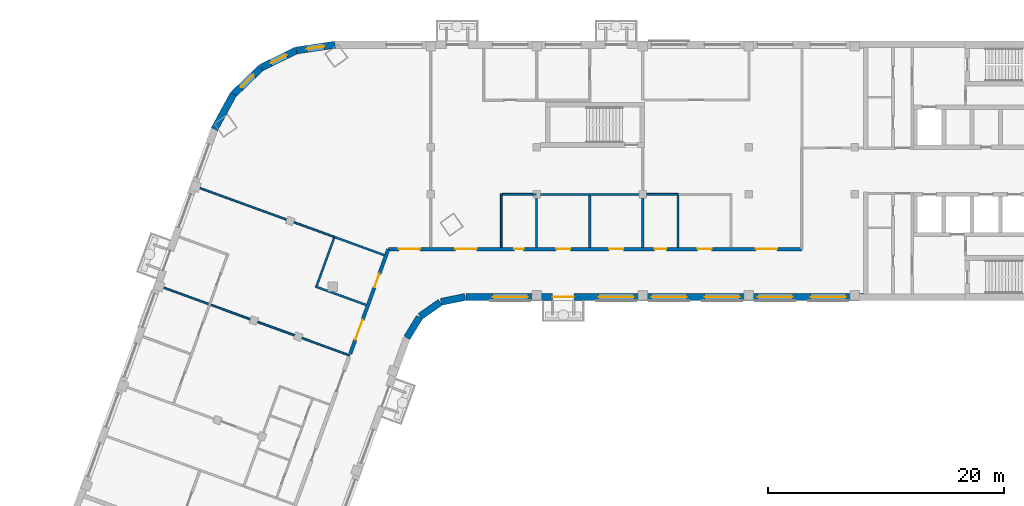
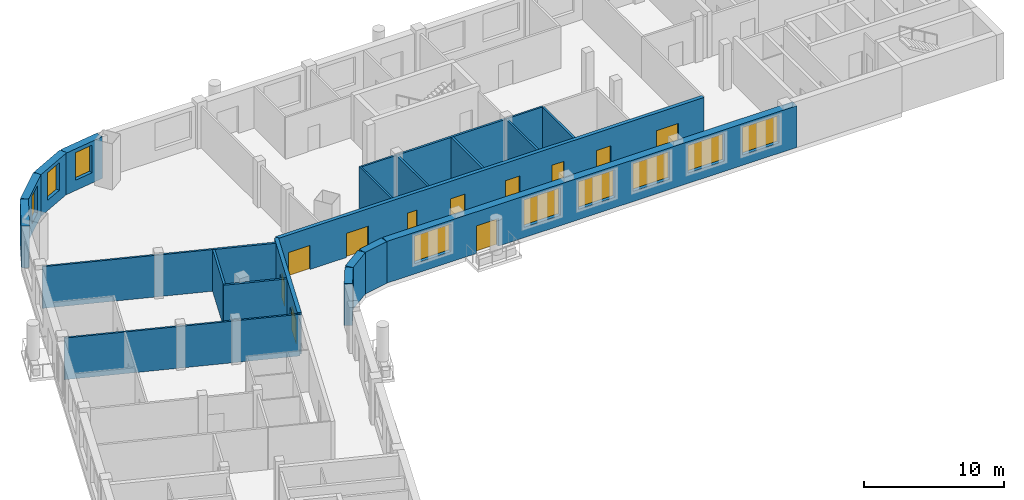
# One storey, part 4 of 10: 23 walls, 11 doors, 9 windows, 20 openings.
"""IFC4 building model written with IfcOpenShell, lengths in metres."""

import ifcopenshell
import ifcopenshell.guid

model = None  # the IFC model being written
_history = None  # IfcOwnerHistory: only IFC2X3 demands one
_inside = {}  # id of a spatial element -> (the spatial element, [elements in it])
_under = {}  # id of a project, library or spatial element -> (it, [spatial elements below it])
_declared = {}  # id of a project -> (the project, [libraries it declares])
_typed = {}  # id of a type object -> (the type object, [elements of that type])
_made_of = {}  # id of a material, layer set ... -> (it, [elements and type objects made of it])


def new_model(schema):
    """Start an empty IFC model of exactly this schema.

    Asked for "IFC4X3", IfcOpenShell would pick the latest addendum, in which some entities
    have other attributes; the version numbers below select the first issue.
    IFC2X3 requires an IfcOwnerHistory on every rooted entity: one is made here for all.
    """
    global model, _history
    if schema == "IFC4X3":
        model = ifcopenshell.file(schema_version=(4, 3, 0, 0))
    else:
        model = ifcopenshell.file(schema=schema)
    _inside.clear()
    _under.clear()
    _declared.clear()
    _typed.clear()
    _made_of.clear()
    _history = None
    if model.schema == "IFC2X3":
        org = make("IfcOrganization", Name="unknown")
        user = make(
            "IfcPersonAndOrganization",
            ThePerson=make("IfcPerson", FamilyName="unknown"),
            TheOrganization=org,
        )
        app = make(
            "IfcApplication",
            ApplicationDeveloper=org,
            Version="unknown",
            ApplicationFullName="unknown",
            ApplicationIdentifier="unknown",
        )
        _history = make(
            "IfcOwnerHistory",
            OwningUser=user,
            OwningApplication=app,
            ChangeAction="ADDED",
            CreationDate=0,
        )
    return model


def make(cls, **values):
    """One entity of the class cls with the attributes given. An attribute that is None is left unset."""
    return model.create_entity(
        cls, **{name: value for name, value in values.items() if value is not None}
    )


def rooted(cls, **values):
    """An entity with a GlobalId (a new one), such as an element, a storey or a relation."""
    return make(cls, GlobalId=ifcopenshell.guid.new(), OwnerHistory=_history, **values)


def si_unit(unit_type, name, prefix=None):
    """IfcSIUnit, for example si_unit("LENGTHUNIT", "METRE", prefix="MILLI")."""
    return make("IfcSIUnit", UnitType=unit_type, Prefix=prefix, Name=name)


def assignment(units):
    """IfcUnitAssignment: the units of a project."""
    return None if units is None else make("IfcUnitAssignment", Units=units)


def point(xyz):
    """IfcCartesianPoint."""
    return None if xyz is None else make("IfcCartesianPoint", Coordinates=xyz)


def direction(xyz):
    """IfcDirection."""
    return None if xyz is None else make("IfcDirection", DirectionRatios=xyz)


def frame(location, z_axis=None, x_axis=None):
    """IfcAxis2Placement3D, a coordinate frame: its origin and axes. An axis left out is left unset."""
    return make(
        "IfcAxis2Placement3D",
        Location=point(location),
        Axis=direction(z_axis),
        RefDirection=direction(x_axis),
    )


def frame_2d(location, x_axis=None):
    """IfcAxis2Placement2D, a coordinate frame in the plane: its origin and x axis."""
    return make(
        "IfcAxis2Placement2D", Location=point(location), RefDirection=direction(x_axis)
    )


def origin():
    """The frame at (0, 0, 0) with its axes left unset."""
    return frame((0.0, 0.0, 0.0))


def place(relative_to, where):
    """IfcLocalPlacement: puts the frame where relative to a parent placement (None: the world)."""
    return make(
        "IfcLocalPlacement", PlacementRelTo=relative_to, RelativePlacement=where
    )


def context(
    kind, dimensions, precision=None, world=None, true_north=None, identifier=None
):
    """IfcGeometricRepresentationContext, for example the 3D "Model" context."""
    return make(
        "IfcGeometricRepresentationContext",
        ContextIdentifier=identifier,
        ContextType=kind,
        CoordinateSpaceDimension=dimensions,
        Precision=precision,
        WorldCoordinateSystem=world,
        TrueNorth=true_north,
    )


def subcontext(parent, identifier, kind, view, scale=None):
    """IfcGeometricRepresentationSubContext, for example "Body" below "Model"."""
    return make(
        "IfcGeometricRepresentationSubContext",
        ContextIdentifier=identifier,
        ContextType=kind,
        ParentContext=parent,
        TargetScale=scale,
        TargetView=view,
    )


def project(units=None, contexts=None):
    """IfcProject with its units and contexts."""
    return rooted(
        "IfcProject",
        Name="project",
        RepresentationContexts=contexts,
        UnitsInContext=assignment(units),
    )


def spatial(cls, under=None, at=None, **own):
    """A site, building, storey or space (cls), placed at a placement, below another one or the project."""
    s = rooted(cls, ObjectPlacement=at, **own)
    if under is not None:
        _under.setdefault(under.id(), (under, []))[1].append(s)
    return s


def profile(cls, at=None, kind="AREA", **sizes):
    """A parametric profile (cls). Its sizes go by their IFC names, for example OverallWidth=200.0."""
    return make(cls, ProfileType=kind, Position=at, **sizes)


def rectangle(**sizes):
    """IfcRectangleProfileDef."""
    return profile("IfcRectangleProfileDef", **sizes)


def extrude(swept, where, along, depth):
    """IfcExtrudedAreaSolid: the profile swept, set in the frame where, extruded along a direction by depth."""
    return make(
        "IfcExtrudedAreaSolid",
        SweptArea=swept,
        Position=where,
        ExtrudedDirection=direction(along),
        Depth=depth,
    )


def shape(context_of_items, identifier, shape_type, items):
    """IfcShapeRepresentation: the items that make up one representation, for example the "Body"."""
    return make(
        "IfcShapeRepresentation",
        ContextOfItems=context_of_items,
        RepresentationIdentifier=identifier,
        RepresentationType=shape_type,
        Items=items,
    )


def material(Name=None, Category=None):
    """IfcMaterial."""
    return make("IfcMaterial", Name=Name, Category=Category)


def layer(
    of_material, thickness, ventilated=None, Name=None, Category=None, Priority=None
):
    """IfcMaterialLayer: one layer of a wall or slab, of a material (None: an air gap)."""
    return make(
        "IfcMaterialLayer",
        Material=of_material,
        LayerThickness=thickness,
        IsVentilated=ventilated,
        Name=Name,
        Category=Category,
        Priority=Priority,
    )


def layer_set(layers, Name=None):
    """IfcMaterialLayerSet."""
    return make("IfcMaterialLayerSet", MaterialLayers=layers, LayerSetName=Name)


def made_of(thing, what):
    """Note that an element or type object is made of a material, layer set ...; save() writes the relation."""
    if what is not None:
        _made_of.setdefault(what.id(), (what, []))[1].append(thing)
    return thing


def type_object(cls, material=None, **own):
    """A type object (cls), such as IfcWallType, which elements share."""
    return made_of(rooted(cls, **own), material)


def element(
    cls,
    number,
    at=None,
    inside=None,
    cuts=None,
    type_object=None,
    material=None,
    context=None,
    identifier="Body",
    shape_type=None,
    held_by="IfcProductDefinitionShape",
    body=None,
    shapes=None,
    **own,
):
    """One element of the class cls, such as IfcWall. Its Tag is "e" and its number.

    at: its placement. inside: the storey or other place that contains it. cuts: it is an
    opening in that element (IfcRelVoidsElement). A single representation is given by context,
    identifier, shape_type and body (its items); several are given by shapes. held_by: the class
    of the entity that holds the representations. save() writes the other relations.
    """
    e = rooted(cls, Tag="e%d" % number, ObjectPlacement=at, **own)
    if body is not None:
        shapes = [shape(context, identifier, shape_type, body)]
    if shapes is not None:
        e.Representation = make(held_by, Representations=shapes)
    if inside is not None:
        _inside.setdefault(inside.id(), (inside, []))[1].append(e)
    if cuts is not None:
        rooted(
            "IfcRelVoidsElement", RelatingBuildingElement=cuts, RelatedOpeningElement=e
        )
    if type_object is not None:
        _typed.setdefault(type_object.id(), (type_object, []))[1].append(e)
    return made_of(e, material)


def fill(opening, filler):
    """IfcRelFillsElement: the door or window that sits in an opening."""
    return rooted(
        "IfcRelFillsElement",
        RelatingOpeningElement=opening,
        RelatedBuildingElement=filler,
    )


def aggregate(whole, parts):
    """IfcRelAggregates: a whole, such as a stair, and the parts it consists of."""
    return rooted("IfcRelAggregates", RelatingObject=whole, RelatedObjects=parts)


def save(model, path):
    """Write the relations noted so far, then the file.

    IfcRelAggregates (storeys below a building ...), IfcRelContainedInSpatialStructure (elements
    in a storey), IfcRelDefinesByType, IfcRelAssociatesMaterial and IfcRelDeclares: one each for
    every whole, place, type object, material and project.
    """
    for whole, parts in _under.values():
        aggregate(whole, parts)
    for where, things in _inside.values():
        rooted(
            "IfcRelContainedInSpatialStructure",
            RelatedElements=things,
            RelatingStructure=where,
        )
    for kind, things in _typed.values():
        rooted("IfcRelDefinesByType", RelatedObjects=things, RelatingType=kind)
    for what, things in _made_of.values():
        rooted("IfcRelAssociatesMaterial", RelatedObjects=things, RelatingMaterial=what)
    for by, libraries in _declared.values():
        rooted("IfcRelDeclares", RelatingContext=by, RelatedDefinitions=libraries)
    model.write(path)


model = new_model("IFC4")

# Units and contexts
model_context = context("Model", 3, precision=1e-05, world=origin(), true_north=direction((0.0, 1.0)))
body_context = subcontext(model_context, "Body", "Model", "MODEL_VIEW")
ifc_project = project(units=[si_unit("LENGTHUNIT", "METRE"), si_unit("AREAUNIT", "SQUARE_METRE"), si_unit("VOLUMEUNIT", "CUBIC_METRE"), si_unit("PLANEANGLEUNIT", "RADIAN"), si_unit("MASSUNIT", "GRAM", prefix="KILO")], contexts=[model_context])

# Site, building, storey
site_placement = place(None, origin())
site = spatial("IfcSite", under=ifc_project, at=site_placement, CompositionType="ELEMENT")
building_placement = place(site_placement, origin())
building = spatial("IfcBuilding", under=site, at=building_placement, Name="Skarvind Civic Tower", CompositionType="ELEMENT")
storey_placement = place(building_placement, frame((0.0, 0.0, 154.5)))
storey = spatial("IfcBuildingStorey", under=building, at=storey_placement, Name="L36", CompositionType="ELEMENT", Elevation=154.5)

# Walls
ifc_material_1 = material(Name="Acoustic gypsum board on steel studs", Category="steel")
ifc_layer_1 = layer(ifc_material_1, 0.175048828125)
ifc_layer_set_1 = layer_set([ifc_layer_1], Name="ACOUSTIC MEETING-ROOM PARTITION 175")
wall_type_1 = type_object("IfcWallType", Name="ACOUSTIC MEETING-ROOM PARTITION 175", PredefinedType="PARTITIONING", material=ifc_layer_set_1)
wall_1_placement = place(storey_placement, frame((44.462890625, 118.18408203125, 0.0), z_axis=(0.0, 0.0, 1.0), x_axis=(0.939667480086, -0.342089208934, 0.0)))
element("IfcWall", 1, at=wall_1_placement, inside=storey, type_object=wall_type_1, Name="Partition 36.021", PredefinedType="PARTITIONING", context=body_context, shape_type="SweptSolid", body=[
    extrude(rectangle(XDim=4.586669921875, YDim=0.175048828125, at=frame_2d((2.29345703125, 0.0))), origin(), (0.0, 0.0, 1.0), 3.625),
])
wall_2_placement = place(storey_placement, frame((46.053955078125, 122.301025390625, 0.0), z_axis=(0.0, 0.0, 1.0), x_axis=(-0.341915262023, -0.93973078783, 0.0)))
element("IfcWall", 2, at=wall_2_placement, inside=storey, type_object=wall_type_1, Name="Partition 36.023", PredefinedType="PARTITIONING", context=body_context, shape_type="SweptSolid", body=[
    extrude(rectangle(XDim=4.32568359375, YDim=0.175048828125, at=frame_2d((2.162841796875, 0.0))), origin(), (0.0, 0.0, 1.0), 3.625),
])
wall_3_placement = place(storey_placement, frame((50.31201171875, 120.843017578125, 0.0), z_axis=(0.0, 0.0, 1.0), x_axis=(-0.939609529273, 0.342248349154, 0.0)))
element("IfcWall", 3, at=wall_3_placement, inside=storey, type_object=wall_type_1, Name="Partition 36.025", PredefinedType="PARTITIONING", context=body_context, shape_type="SweptSolid", body=[
    extrude(rectangle(XDim=4.499755859375, YDim=0.175048828125, at=frame_2d((2.25, 0.0))), origin(), (0.0, 0.0, 1.0), 3.625),
])
wall_4_placement = place(storey_placement, frame((63.25, 121.5, 0.0), z_axis=(0.0, 0.0, 1.0), x_axis=(0.0, 1.0, 0.0)))
element("IfcWall", 4, at=wall_4_placement, inside=storey, type_object=wall_type_1, Name="Partition 36.031", PredefinedType="PARTITIONING", context=body_context, shape_type="SweptSolid", body=[
    extrude(rectangle(XDim=4.412109375, YDim=0.175048828125, at=frame_2d((2.2060546875, 0.0))), origin(), (0.0, 0.0, 1.0), 3.625),
])
wall_5_placement = place(storey_placement, frame((63.25, 126.0, 0.0), z_axis=(0.0, 0.0, 1.0), x_axis=(1.0, 0.0, 0.0)))
element("IfcWall", 5, at=wall_5_placement, inside=storey, type_object=wall_type_1, Name="Partition 36.033", PredefinedType="PARTITIONING", context=body_context, shape_type="SweptSolid", body=[
    extrude(rectangle(XDim=9.0, YDim=0.175048828125, at=frame_2d((4.5, 0.0))), origin(), (0.0, 0.0, 1.0), 3.625),
])
wall_6_placement = place(storey_placement, frame((67.75, 121.5, 0.0), z_axis=(0.0, 0.0, 1.0), x_axis=(0.0, 1.0, 0.0)))
element("IfcWall", 6, at=wall_6_placement, inside=storey, type_object=wall_type_1, Name="Partition 36.035", PredefinedType="PARTITIONING", context=body_context, shape_type="SweptSolid", body=[
    extrude(rectangle(XDim=4.412109375, YDim=0.175048828125, at=frame_2d((2.2060546875, 0.0))), origin(), (0.0, 0.0, 1.0), 3.625),
])
wall_7_placement = place(storey_placement, frame((72.25, 121.5, 0.0), z_axis=(0.0, 0.0, 1.0), x_axis=(0.0, 1.0, 0.0)))
element("IfcWall", 7, at=wall_7_placement, inside=storey, type_object=wall_type_1, Name="Partition 36.037", PredefinedType="PARTITIONING", context=body_context, shape_type="SweptSolid", body=[
    extrude(rectangle(XDim=4.5, YDim=0.175048828125, at=frame_2d((2.25, 0.0))), origin(), (0.0, 0.0, 1.0), 3.625),
])
wall_8_placement = place(storey_placement, frame((75.25, 125.912109375, 0.0), z_axis=(0.0, 0.0, 1.0), x_axis=(0.0, -1.0, 0.0)))
element("IfcWall", 8, at=wall_8_placement, inside=storey, type_object=wall_type_1, Name="Partition 36.042", PredefinedType="PARTITIONING", context=body_context, shape_type="SweptSolid", body=[
    extrude(rectangle(XDim=4.412109375, YDim=0.175048828125, at=frame_2d((2.2060546875, 0.0))), origin(), (0.0, 0.0, 1.0), 3.625),
])

# Wall, openings, doors
ifc_material_2 = material(Name="Fire-rated gypsum board on steel studs", Category="steel")
ifc_layer_2 = layer(ifc_material_2, 0.300048828125)
ifc_layer_set_2 = layer_set([ifc_layer_2], Name="CORRIDOR WALL 300")
wall_type_2 = type_object("IfcWallType", Name="CORRIDOR WALL 300", PredefinedType="PARTITIONING", material=ifc_layer_set_2)
wall_9_placement = place(storey_placement, frame((47.425048828125, 112.472900390625, 0.0), z_axis=(0.0, 0.0, 1.0), x_axis=(0.342087569587, 0.939668076894, 0.0)))
wall_9 = element("IfcWall", 9, at=wall_9_placement, inside=storey, type_object=wall_type_2, Name="Partition 36.024", PredefinedType="PARTITIONING", context=body_context, shape_type="SweptSolid", body=[
    extrude(rectangle(XDim=9.44482421875, YDim=0.300048828125, at=frame_2d((4.722412109375, 0.0))), origin(), (0.0, 0.0, 1.0), 3.625),
])
opening_1_placement = place(wall_9_placement, frame((6.003173828125, 0.0, 0.0)))
opening_1 = element("IfcOpeningElement", 10, at=opening_1_placement, cuts=wall_9, Name="Opening L36-D020", PredefinedType="OPENING", context=body_context, shape_type="SweptSolid", body=[
    extrude(rectangle(XDim=1.199951171875, YDim=2.10009765625, at=frame_2d((0.60009765625, 1.050048828125))), frame((0.0, 0.159912109375, 0.0), z_axis=(0.0, -1.0, 0.0), x_axis=(1.0, 0.0, 0.0)), (0.0, 0.0, 1.0), 0.320068359375),
])
opening_2_placement = place(wall_9_placement, frame((1.2666015625, 0.0, 0.0)))
opening_2 = element("IfcOpeningElement", 11, at=opening_2_placement, cuts=wall_9, Name="Opening L36-D022", PredefinedType="OPENING", context=body_context, shape_type="SweptSolid", body=[
    extrude(rectangle(XDim=1.800048828125, YDim=2.10009765625, at=frame_2d((0.89990234375, 1.050048828125))), frame((0.0, 0.159912109375, 0.0), z_axis=(0.0, -1.0, 0.0), x_axis=(1.0, 0.0, 0.0)), (0.0, 0.0, 1.0), 0.320068359375),
])
ifc_material_3 = material(Name="Fire-rated timber door leaf", Category="wood")
door_type_1 = type_object("IfcDoorType", Name="FD4 1800x2100", OperationType="NOTDEFINED", PredefinedType="DOOR", material=ifc_material_3)
door_1_placement = place(opening_2_placement, origin())
door_1 = element("IfcDoor", 12, at=door_1_placement, inside=storey, type_object=door_type_1, Name="Door L36-D022", OperationType="DOUBLE_DOOR_SINGLE_SWING", OverallHeight=2.10009765625, OverallWidth=1.800048828125, PredefinedType="DOOR", context=body_context, shape_type="SweptSolid", body=[
    extrude(rectangle(XDim=1.800048828125, YDim=2.10009765625, at=frame_2d((0.89990234375, 1.050048828125))), frame((0.0, 0.02490234375, 0.0), z_axis=(0.0, -1.0, 0.0), x_axis=(1.0, 0.0, 0.0)), (0.0, 0.0, 1.0), 0.050048828125),
])
fill(opening_2, door_1)
door_type_2 = type_object("IfcDoorType", Name="FD6 1200x2100 DOUBLE", OperationType="NOTDEFINED", PredefinedType="DOOR", material=ifc_material_3)
door_2_placement = place(opening_1_placement, origin())
door_2 = element("IfcDoor", 13, at=door_2_placement, inside=storey, type_object=door_type_2, Name="Door L36-D020", OperationType="DOUBLE_DOOR_SINGLE_SWING", OverallHeight=2.10009765625, OverallWidth=1.199951171875, PredefinedType="DOOR", context=body_context, shape_type="SweptSolid", body=[
    extrude(rectangle(XDim=1.199951171875, YDim=2.10009765625, at=frame_2d((0.60009765625, 1.050048828125))), frame((0.0, 0.02490234375, 0.0), z_axis=(0.0, -1.0, 0.0), x_axis=(1.0, 0.0, 0.0)), (0.0, 0.0, 1.0), 0.050048828125),
])
fill(opening_1, door_2)

wall_10_placement = place(storey_placement, frame((50.656982421875, 121.35009765625, 0.0), z_axis=(0.0, 0.0, 1.0), x_axis=(1.0, 0.0, 0.0)))
wall_10 = element("IfcWall", 14, at=wall_10_placement, inside=storey, type_object=wall_type_2, Name="Partition 36.026", PredefinedType="PARTITIONING", context=body_context, shape_type="SweptSolid", body=[
    extrude(rectangle(XDim=35.095947265625, YDim=0.300048828125, at=frame_2d((17.5478515625, 0.0))), origin(), (0.0, 0.0, 1.0), 3.625),
])
opening_3_placement = place(wall_10_placement, frame((26.242919921875, 0.0, 0.0)))
opening_3 = element("IfcOpeningElement", 15, at=opening_3_placement, cuts=wall_10, Name="Opening L36-D002", PredefinedType="OPENING", context=body_context, shape_type="SweptSolid", body=[
    extrude(rectangle(XDim=1.199951171875, YDim=2.10009765625, at=frame_2d((0.60009765625, 1.050048828125))), frame((0.0, 0.159912109375, 0.0), z_axis=(0.0, -1.0, 0.0), x_axis=(1.0, 0.0, 0.0)), (0.0, 0.0, 1.0), 0.320068359375),
])
opening_4_placement = place(wall_10_placement, frame((22.593017578125, 0.0, 0.0)))
opening_4 = element("IfcOpeningElement", 16, at=opening_4_placement, cuts=wall_10, Name="Opening L36-D003", PredefinedType="OPENING", context=body_context, shape_type="SweptSolid", body=[
    extrude(rectangle(XDim=1.0, YDim=2.10009765625, at=frame_2d((0.5, 1.050048828125))), frame((0.0, 0.159912109375, 0.0), z_axis=(0.0, -1.0, 0.0), x_axis=(1.0, 0.0, 0.0)), (0.0, 0.0, 1.0), 0.320068359375),
])
opening_5_placement = place(wall_10_placement, frame((31.193115234375, 0.0, 0.0)))
opening_5 = element("IfcOpeningElement", 17, at=opening_5_placement, cuts=wall_10, Name="Opening L36-D005", PredefinedType="OPENING", context=body_context, shape_type="SweptSolid", body=[
    extrude(rectangle(XDim=1.800048828125, YDim=2.10009765625, at=frame_2d((0.89990234375, 1.050048828125))), frame((0.0, 0.159912109375, 0.0), z_axis=(0.0, -1.0, 0.0), x_axis=(1.0, 0.0, 0.0)), (0.0, 0.0, 1.0), 0.320068359375),
])
opening_6_placement = place(wall_10_placement, frame((18.742919921875, 0.0, 0.0)))
opening_6 = element("IfcOpeningElement", 18, at=opening_6_placement, cuts=wall_10, Name="Opening L36-D006", PredefinedType="OPENING", context=body_context, shape_type="SweptSolid", body=[
    extrude(rectangle(XDim=1.199951171875, YDim=2.10009765625, at=frame_2d((0.60009765625, 1.050048828125))), frame((0.0, 0.159912109375, 0.0), z_axis=(0.0, -1.0, 0.0), x_axis=(1.0, 0.0, 0.0)), (0.0, 0.0, 1.0), 0.320068359375),
])
opening_7_placement = place(wall_10_placement, frame((14.242919921875, 0.0, 0.0)))
opening_7 = element("IfcOpeningElement", 19, at=opening_7_placement, cuts=wall_10, Name="Opening L36-D007", PredefinedType="OPENING", context=body_context, shape_type="SweptSolid", body=[
    extrude(rectangle(XDim=1.199951171875, YDim=2.10009765625, at=frame_2d((0.60009765625, 1.050048828125))), frame((0.0, 0.159912109375, 0.0), z_axis=(0.0, -1.0, 0.0), x_axis=(1.0, 0.0, 0.0)), (0.0, 0.0, 1.0), 0.320068359375),
])
opening_8_placement = place(wall_10_placement, frame((10.693115234375, 0.0, 0.0)))
opening_8 = element("IfcOpeningElement", 20, at=opening_8_placement, cuts=wall_10, Name="Opening L36-D008", PredefinedType="OPENING", context=body_context, shape_type="SweptSolid", body=[
    extrude(rectangle(XDim=0.800048828125, YDim=2.10009765625, at=frame_2d((0.39990234375, 1.050048828125))), frame((0.0, 0.159912109375, 0.0), z_axis=(0.0, -1.0, 0.0), x_axis=(1.0, 0.0, 0.0)), (0.0, 0.0, 1.0), 0.320068359375),
])
opening_9_placement = place(wall_10_placement, frame((5.693115234375, 0.0, 0.0)))
opening_9 = element("IfcOpeningElement", 21, at=opening_9_placement, cuts=wall_10, Name="Opening L36-D011", PredefinedType="OPENING", context=body_context, shape_type="SweptSolid", body=[
    extrude(rectangle(XDim=1.800048828125, YDim=2.10009765625, at=frame_2d((0.89990234375, 1.050048828125))), frame((0.0, 0.159912109375, 0.0), z_axis=(0.0, -1.0, 0.0), x_axis=(1.0, 0.0, 0.0)), (0.0, 0.0, 1.0), 0.320068359375),
])
opening_10_placement = place(wall_10_placement, frame((0.89599609375, 0.0, 0.0)))
opening_10 = element("IfcOpeningElement", 22, at=opening_10_placement, cuts=wall_10, Name="Opening L36-D023", PredefinedType="OPENING", context=body_context, shape_type="SweptSolid", body=[
    extrude(rectangle(XDim=1.800048828125, YDim=2.10009765625, at=frame_2d((0.89990234375, 1.050048828125))), frame((0.0, 0.159912109375, 0.0), z_axis=(0.0, -1.0, 0.0), x_axis=(1.0, 0.0, 0.0)), (0.0, 0.0, 1.0), 0.320068359375),
])
door_type_3 = type_object("IfcDoorType", Name="FD1 1000x2100", OperationType="NOTDEFINED", PredefinedType="DOOR", material=ifc_material_3)
door_3_placement = place(opening_4_placement, origin())
door_3 = element("IfcDoor", 23, at=door_3_placement, inside=storey, type_object=door_type_3, Name="Door L36-D003", OperationType="SINGLE_SWING_LEFT", OverallHeight=2.10009765625, OverallWidth=1.0, PredefinedType="DOOR", context=body_context, shape_type="SweptSolid", body=[
    extrude(rectangle(XDim=1.0, YDim=2.10009765625, at=frame_2d((0.5, 1.050048828125))), frame((0.0, 0.02490234375, 0.0), z_axis=(0.0, -1.0, 0.0), x_axis=(1.0, 0.0, 0.0)), (0.0, 0.0, 1.0), 0.050048828125),
])
fill(opening_4, door_3)
door_4_placement = place(opening_5_placement, origin())
door_4 = element("IfcDoor", 24, at=door_4_placement, inside=storey, type_object=door_type_1, Name="Door L36-D005", OperationType="DOUBLE_DOOR_SINGLE_SWING", OverallHeight=2.10009765625, OverallWidth=1.800048828125, PredefinedType="DOOR", context=body_context, shape_type="SweptSolid", body=[
    extrude(rectangle(XDim=1.800048828125, YDim=2.10009765625, at=frame_2d((0.89990234375, 1.050048828125))), frame((0.0, 0.02490234375, 0.0), z_axis=(0.0, -1.0, 0.0), x_axis=(1.0, 0.0, 0.0)), (0.0, 0.0, 1.0), 0.050048828125),
])
fill(opening_5, door_4)
door_5_placement = place(opening_9_placement, origin())
door_5 = element("IfcDoor", 25, at=door_5_placement, inside=storey, type_object=door_type_1, Name="Door L36-D011", OperationType="DOUBLE_DOOR_SINGLE_SWING", OverallHeight=2.10009765625, OverallWidth=1.800048828125, PredefinedType="DOOR", context=body_context, shape_type="SweptSolid", body=[
    extrude(rectangle(XDim=1.800048828125, YDim=2.10009765625, at=frame_2d((0.89990234375, 1.050048828125))), frame((0.0, 0.02490234375, 0.0), z_axis=(0.0, -1.0, 0.0), x_axis=(1.0, 0.0, 0.0)), (0.0, 0.0, 1.0), 0.050048828125),
])
fill(opening_9, door_5)
door_6_placement = place(opening_10_placement, origin())
door_6 = element("IfcDoor", 26, at=door_6_placement, inside=storey, type_object=door_type_1, Name="Door L36-D023", OperationType="DOUBLE_DOOR_SINGLE_SWING", OverallHeight=2.10009765625, OverallWidth=1.800048828125, PredefinedType="DOOR", context=body_context, shape_type="SweptSolid", body=[
    extrude(rectangle(XDim=1.800048828125, YDim=2.10009765625, at=frame_2d((0.89990234375, 1.050048828125))), frame((0.0, 0.02490234375, 0.0), z_axis=(0.0, -1.0, 0.0), x_axis=(1.0, 0.0, 0.0)), (0.0, 0.0, 1.0), 0.050048828125),
])
fill(opening_10, door_6)
door_type_4 = type_object("IfcDoorType", Name="FD5 800x2100", OperationType="NOTDEFINED", PredefinedType="DOOR", material=ifc_material_3)
door_7_placement = place(opening_8_placement, origin())
door_7 = element("IfcDoor", 27, at=door_7_placement, inside=storey, type_object=door_type_4, Name="Door L36-D008", OperationType="SINGLE_SWING_LEFT", OverallHeight=2.10009765625, OverallWidth=0.800048828125, PredefinedType="DOOR", context=body_context, shape_type="SweptSolid", body=[
    extrude(rectangle(XDim=0.800048828125, YDim=2.10009765625, at=frame_2d((0.39990234375, 1.050048828125))), frame((0.0, 0.02490234375, 0.0), z_axis=(0.0, -1.0, 0.0), x_axis=(1.0, 0.0, 0.0)), (0.0, 0.0, 1.0), 0.050048828125),
])
fill(opening_8, door_7)
door_8_placement = place(opening_3_placement, origin())
door_8 = element("IfcDoor", 28, at=door_8_placement, inside=storey, type_object=door_type_2, Name="Door L36-D002", OperationType="DOUBLE_DOOR_SINGLE_SWING", OverallHeight=2.10009765625, OverallWidth=1.199951171875, PredefinedType="DOOR", context=body_context, shape_type="SweptSolid", body=[
    extrude(rectangle(XDim=1.199951171875, YDim=2.10009765625, at=frame_2d((0.60009765625, 1.050048828125))), frame((0.0, 0.02490234375, 0.0), z_axis=(0.0, -1.0, 0.0), x_axis=(1.0, 0.0, 0.0)), (0.0, 0.0, 1.0), 0.050048828125),
])
fill(opening_3, door_8)
door_9_placement = place(opening_6_placement, origin())
door_9 = element("IfcDoor", 29, at=door_9_placement, inside=storey, type_object=door_type_2, Name="Door L36-D006", OperationType="DOUBLE_DOOR_SINGLE_SWING", OverallHeight=2.10009765625, OverallWidth=1.199951171875, PredefinedType="DOOR", context=body_context, shape_type="SweptSolid", body=[
    extrude(rectangle(XDim=1.199951171875, YDim=2.10009765625, at=frame_2d((0.60009765625, 1.050048828125))), frame((0.0, 0.02490234375, 0.0), z_axis=(0.0, -1.0, 0.0), x_axis=(1.0, 0.0, 0.0)), (0.0, 0.0, 1.0), 0.050048828125),
])
fill(opening_6, door_9)
door_10_placement = place(opening_7_placement, origin())
door_10 = element("IfcDoor", 30, at=door_10_placement, inside=storey, type_object=door_type_2, Name="Door L36-D007", OperationType="DOUBLE_DOOR_SINGLE_SWING", OverallHeight=2.10009765625, OverallWidth=1.199951171875, PredefinedType="DOOR", context=body_context, shape_type="SweptSolid", body=[
    extrude(rectangle(XDim=1.199951171875, YDim=2.10009765625, at=frame_2d((0.60009765625, 1.050048828125))), frame((0.0, 0.02490234375, 0.0), z_axis=(0.0, -1.0, 0.0), x_axis=(1.0, 0.0, 0.0)), (0.0, 0.0, 1.0), 0.050048828125),
])
fill(opening_7, door_10)

# Walls
ifc_material_4 = material(Name="Plasterboard partition on steel studs", Category="steel")
ifc_layer_3 = layer(ifc_material_4, 0.14990234375)
ifc_layer_set_3 = layer_set([ifc_layer_3], Name="PARTITION 150")
wall_type_3 = type_object("IfcWallType", Name="PARTITION 150", PredefinedType="PARTITIONING", material=ifc_layer_set_3)
wall_11_placement = place(storey_placement, frame((31.35302734375, 118.166015625, 0.0), z_axis=(0.0, 0.0, 1.0), x_axis=(0.939701413127, -0.341995985602, 0.0)))
element("IfcWall", 31, at=wall_11_placement, inside=storey, type_object=wall_type_3, Name="Partition 36.003", PredefinedType="PARTITIONING", context=body_context, shape_type="SweptSolid", body=[
    extrude(rectangle(XDim=17.050048828125, YDim=0.14990234375, at=frame_2d((8.52490234375, 0.0))), origin(), (0.0, 0.0, 1.0), 3.625),
])
wall_12_placement = place(storey_placement, frame((46.083984375, 122.383056640625, 0.0), z_axis=(0.0, 0.0, 1.0), x_axis=(-0.939703144457, 0.341991228392, 0.0)))
element("IfcWall", 32, at=wall_12_placement, inside=storey, type_object=wall_type_3, Name="Partition 36.022", PredefinedType="PARTITIONING", context=body_context, shape_type="SweptSolid", body=[
    extrude(rectangle(XDim=12.40087890625, YDim=0.14990234375, at=frame_2d((6.200439453125, 0.0))), origin(), (0.0, 0.0, 1.0), 3.625),
])
wall_13_placement = place(storey_placement, frame((60.25, 126.074951171875, 0.0), z_axis=(0.0, 0.0, 1.0), x_axis=(0.0, -1.0, 0.0)))
element("IfcWall", 33, at=wall_13_placement, inside=storey, type_object=wall_type_3, Name="Partition 36.030", PredefinedType="PARTITIONING", context=body_context, shape_type="SweptSolid", body=[
    extrude(rectangle(XDim=4.574951171875, YDim=0.14990234375, at=frame_2d((2.28759765625, 0.0))), origin(), (0.0, 0.0, 1.0), 3.625),
])
wall_14_placement = place(storey_placement, frame((63.25, 126.0, 0.0), z_axis=(0.0, 0.0, 1.0), x_axis=(-1.0, 0.0, 0.0)))
element("IfcWall", 34, at=wall_14_placement, inside=storey, type_object=wall_type_3, Name="Partition 36.032", PredefinedType="PARTITIONING", context=body_context, shape_type="SweptSolid", body=[
    extrude(rectangle(XDim=2.925048828125, YDim=0.14990234375, at=frame_2d((1.46240234375, 0.0))), origin(), (0.0, 0.0, 1.0), 3.625),
])
wall_15_placement = place(storey_placement, frame((75.25, 126.0, 0.0), z_axis=(0.0, 0.0, 1.0), x_axis=(-1.0, 0.0, 0.0)))
element("IfcWall", 35, at=wall_15_placement, inside=storey, type_object=wall_type_3, Name="Partition 36.041", PredefinedType="PARTITIONING", context=body_context, shape_type="SweptSolid", body=[
    extrude(rectangle(XDim=3.0, YDim=0.14990234375, at=frame_2d((1.5, 0.0))), origin(), (0.0, 0.0, 1.0), 3.625),
])
ifc_material_5 = material(Name="Limestone masonry cladding on insulated backing", Category="masonry")
ifc_layer_4 = layer(ifc_material_5, 0.60009765625)
ifc_layer_set_4 = layer_set([ifc_layer_4], Name="WX1 STONE FACADE WALL 600")
wall_type_4 = type_object("IfcWallType", Name="WX1 STONE FACADE WALL 600", PredefinedType="SOLIDWALL", material=ifc_layer_set_4)
wall_16_placement = place(storey_placement, frame((53.30517578125, 115.578369140625, 0.0), z_axis=(0.0, 0.0, 1.0), x_axis=(-0.522402266438, -0.852699168535, 0.0)))
element("IfcWall", 36, at=wall_16_placement, inside=storey, type_object=wall_type_4, Name="STONE FACADE WALL", PredefinedType="SOLIDWALL", context=body_context, shape_type="SweptSolid", body=[
    extrude(rectangle(XDim=2.042236328125, YDim=0.60009765625, at=frame_2d((1.02099609375, 0.0))), origin(), (0.0, 0.0, 1.0), 3.625),
])
for number, where, z_axis, x_axis, name in (
    (37, (55.061767578125, 116.8388671875, 0.0), (0.0, 0.0, 1.0), (-0.819122269495, -0.573618956815, 0.0), "STONE FACADE WALL"),
    (38, (57.17529296875, 117.2939453125, 0.0), (0.0, 0.0, 1.0), (-0.97996099083, -0.19918949885, 0.0), "STONE FACADE WALL"),
):
    element("IfcWall", number, at=place(storey_placement, frame(where, z_axis=z_axis, x_axis=x_axis)), inside=storey, type_object=wall_type_4, Name=name, PredefinedType="SOLIDWALL", context=body_context, shape_type="SweptSolid", body=[
        extrude(rectangle(XDim=2.09228515625, YDim=0.60009765625, at=frame_2d((1.046142578125, 0.0))), origin(), (0.0, 0.0, 1.0), 3.625),
    ])

# Wall, openings, door, windows
wall_17_placement = place(storey_placement, frame((90.97998046875, 117.300048828125, 0.0), z_axis=(0.0, 0.0, 1.0), x_axis=(-1.0, 0.0, 0.0)))
wall_17 = element("IfcWall", 39, at=wall_17_placement, inside=storey, type_object=wall_type_4, Name="STONE FACADE WALL", PredefinedType="SOLIDWALL", context=body_context, shape_type="SweptSolid", body=[
    extrude(rectangle(XDim=33.744873046875, YDim=0.60009765625, at=frame_2d((16.87255859375, 0.0))), origin(), (0.0, 0.0, 1.0), 3.625),
])
opening_11_placement = place(wall_17_placement, frame((1.47998046875, 0.0, 0.89990234375)))
opening_11 = element("IfcOpeningElement", 40, at=opening_11_placement, cuts=wall_17, Name="Opening WN1", PredefinedType="OPENING", context=body_context, shape_type="SweptSolid", body=[
    extrude(rectangle(XDim=3.0, YDim=2.39990234375, at=frame_2d((1.5, 1.199951171875))), frame((0.0, 0.31005859375, 0.0), z_axis=(0.0, -1.0, 0.0), x_axis=(1.0, 0.0, 0.0)), (0.0, 0.0, 1.0), 0.6201171875),
])
opening_12_placement = place(wall_17_placement, frame((5.97998046875, 0.0, 0.89990234375)))
opening_12 = element("IfcOpeningElement", 41, at=opening_12_placement, cuts=wall_17, Name="Opening WN1", PredefinedType="OPENING", context=body_context, shape_type="SweptSolid", body=[
    extrude(rectangle(XDim=3.0, YDim=2.39990234375, at=frame_2d((1.5, 1.199951171875))), frame((0.0, 0.31005859375, 0.0), z_axis=(0.0, -1.0, 0.0), x_axis=(1.0, 0.0, 0.0)), (0.0, 0.0, 1.0), 0.6201171875),
])
opening_13_placement = place(wall_17_placement, frame((10.47998046875, 0.0, 0.89990234375)))
opening_13 = element("IfcOpeningElement", 42, at=opening_13_placement, cuts=wall_17, Name="Opening WN1", PredefinedType="OPENING", context=body_context, shape_type="SweptSolid", body=[
    extrude(rectangle(XDim=3.0, YDim=2.39990234375, at=frame_2d((1.5, 1.199951171875))), frame((0.0, 0.31005859375, 0.0), z_axis=(0.0, -1.0, 0.0), x_axis=(1.0, 0.0, 0.0)), (0.0, 0.0, 1.0), 0.6201171875),
])
opening_14_placement = place(wall_17_placement, frame((14.97998046875, 0.0, 0.89990234375)))
opening_14 = element("IfcOpeningElement", 43, at=opening_14_placement, cuts=wall_17, Name="Opening WN1", PredefinedType="OPENING", context=body_context, shape_type="SweptSolid", body=[
    extrude(rectangle(XDim=3.0, YDim=2.39990234375, at=frame_2d((1.5, 1.199951171875))), frame((0.0, 0.31005859375, 0.0), z_axis=(0.0, -1.0, 0.0), x_axis=(1.0, 0.0, 0.0)), (0.0, 0.0, 1.0), 0.6201171875),
])
opening_15_placement = place(wall_17_placement, frame((19.47998046875, 0.0, 0.89990234375)))
opening_15 = element("IfcOpeningElement", 44, at=opening_15_placement, cuts=wall_17, Name="Opening WN1", PredefinedType="OPENING", context=body_context, shape_type="SweptSolid", body=[
    extrude(rectangle(XDim=3.0, YDim=2.39990234375, at=frame_2d((1.5, 1.199951171875))), frame((0.0, 0.31005859375, 0.0), z_axis=(0.0, -1.0, 0.0), x_axis=(1.0, 0.0, 0.0)), (0.0, 0.0, 1.0), 0.6201171875),
])
opening_16_placement = place(wall_17_placement, frame((24.580078125, 0.0, 0.0)))
opening_16 = element("IfcOpeningElement", 45, at=opening_16_placement, cuts=wall_17, Name="Opening DX3", PredefinedType="OPENING", context=body_context, shape_type="SweptSolid", body=[
    extrude(rectangle(XDim=1.800048828125, YDim=2.39990234375, at=frame_2d((0.89990234375, 1.199951171875))), frame((0.0, 0.31005859375, 0.0), z_axis=(0.0, -1.0, 0.0), x_axis=(1.0, 0.0, 0.0)), (0.0, 0.0, 1.0), 0.6201171875),
])
opening_17_placement = place(wall_17_placement, frame((28.47998046875, 0.0, 0.89990234375)))
opening_17 = element("IfcOpeningElement", 46, at=opening_17_placement, cuts=wall_17, Name="Opening WN1", PredefinedType="OPENING", context=body_context, shape_type="SweptSolid", body=[
    extrude(rectangle(XDim=3.0, YDim=2.39990234375, at=frame_2d((1.5, 1.199951171875))), frame((0.0, 0.31005859375, 0.0), z_axis=(0.0, -1.0, 0.0), x_axis=(1.0, 0.0, 0.0)), (0.0, 0.0, 1.0), 0.6201171875),
])
ifc_material_6 = material(Name="Timber and glass doorset", Category="wood")
door_type_5 = type_object("IfcDoorType", Name="DX3 TERRACE DOORS 1800 x 2400", OperationType="NOTDEFINED", PredefinedType="DOOR", material=ifc_material_6)
door_11_placement = place(opening_16_placement, origin())
door_11 = element("IfcDoor", 47, at=door_11_placement, inside=storey, type_object=door_type_5, Name="TERRACE DOORS", OperationType="DOUBLE_DOOR_SINGLE_SWING", OverallHeight=2.39990234375, OverallWidth=1.800048828125, PredefinedType="DOOR", context=body_context, shape_type="SweptSolid", body=[
    extrude(rectangle(XDim=1.800048828125, YDim=2.39990234375, at=frame_2d((0.89990234375, 1.199951171875))), frame((0.0, 0.02490234375, 0.0), z_axis=(0.0, -1.0, 0.0), x_axis=(1.0, 0.0, 0.0)), (0.0, 0.0, 1.0), 0.050048828125),
])
fill(opening_16, door_11)
ifc_material_7 = material(Name="Timber frame, double glazing, timber-lined reveal", Category="wood")
window_type_1 = type_object("IfcWindowType", Name="WN1 PUNCHED STONE WINDOW 3000 x 2400", PartitioningType="SINGLE_PANEL", PredefinedType="WINDOW", material=ifc_material_7)
window_1_placement = place(opening_11_placement, origin())
window_1 = element("IfcWindow", 48, at=window_1_placement, inside=storey, type_object=window_type_1, Name="WN1 WINDOW", OverallHeight=2.39990234375, OverallWidth=3.0, PartitioningType="SINGLE_PANEL", PredefinedType="WINDOW", context=body_context, shape_type="SweptSolid", body=[
    extrude(rectangle(XDim=3.0, YDim=2.39990234375, at=frame_2d((1.5, 1.199951171875))), frame((0.0, 0.030029296875, 0.0), z_axis=(0.0, -1.0, 0.0), x_axis=(1.0, 0.0, 0.0)), (0.0, 0.0, 1.0), 0.06005859375),
])
fill(opening_11, window_1)
window_2_placement = place(opening_12_placement, origin())
window_2 = element("IfcWindow", 49, at=window_2_placement, inside=storey, type_object=window_type_1, Name="WN1 WINDOW", OverallHeight=2.39990234375, OverallWidth=3.0, PartitioningType="SINGLE_PANEL", PredefinedType="WINDOW", context=body_context, shape_type="SweptSolid", body=[
    extrude(rectangle(XDim=3.0, YDim=2.39990234375, at=frame_2d((1.5, 1.199951171875))), frame((0.0, 0.030029296875, 0.0), z_axis=(0.0, -1.0, 0.0), x_axis=(1.0, 0.0, 0.0)), (0.0, 0.0, 1.0), 0.06005859375),
])
fill(opening_12, window_2)
window_3_placement = place(opening_13_placement, origin())
window_3 = element("IfcWindow", 50, at=window_3_placement, inside=storey, type_object=window_type_1, Name="WN1 WINDOW", OverallHeight=2.39990234375, OverallWidth=3.0, PartitioningType="SINGLE_PANEL", PredefinedType="WINDOW", context=body_context, shape_type="SweptSolid", body=[
    extrude(rectangle(XDim=3.0, YDim=2.39990234375, at=frame_2d((1.5, 1.199951171875))), frame((0.0, 0.030029296875, 0.0), z_axis=(0.0, -1.0, 0.0), x_axis=(1.0, 0.0, 0.0)), (0.0, 0.0, 1.0), 0.06005859375),
])
fill(opening_13, window_3)
window_4_placement = place(opening_14_placement, origin())
window_4 = element("IfcWindow", 51, at=window_4_placement, inside=storey, type_object=window_type_1, Name="WN1 WINDOW", OverallHeight=2.39990234375, OverallWidth=3.0, PartitioningType="SINGLE_PANEL", PredefinedType="WINDOW", context=body_context, shape_type="SweptSolid", body=[
    extrude(rectangle(XDim=3.0, YDim=2.39990234375, at=frame_2d((1.5, 1.199951171875))), frame((0.0, 0.030029296875, 0.0), z_axis=(0.0, -1.0, 0.0), x_axis=(1.0, 0.0, 0.0)), (0.0, 0.0, 1.0), 0.06005859375),
])
fill(opening_14, window_4)
window_5_placement = place(opening_15_placement, origin())
window_5 = element("IfcWindow", 52, at=window_5_placement, inside=storey, type_object=window_type_1, Name="WN1 WINDOW", OverallHeight=2.39990234375, OverallWidth=3.0, PartitioningType="SINGLE_PANEL", PredefinedType="WINDOW", context=body_context, shape_type="SweptSolid", body=[
    extrude(rectangle(XDim=3.0, YDim=2.39990234375, at=frame_2d((1.5, 1.199951171875))), frame((0.0, 0.030029296875, 0.0), z_axis=(0.0, -1.0, 0.0), x_axis=(1.0, 0.0, 0.0)), (0.0, 0.0, 1.0), 0.06005859375),
])
fill(opening_15, window_5)
window_6_placement = place(opening_17_placement, origin())
window_6 = element("IfcWindow", 53, at=window_6_placement, inside=storey, type_object=window_type_1, Name="WN1 WINDOW", OverallHeight=2.39990234375, OverallWidth=3.0, PartitioningType="SINGLE_PANEL", PredefinedType="WINDOW", context=body_context, shape_type="SweptSolid", body=[
    extrude(rectangle(XDim=3.0, YDim=2.39990234375, at=frame_2d((1.5, 1.199951171875))), frame((0.0, 0.030029296875, 0.0), z_axis=(0.0, -1.0, 0.0), x_axis=(1.0, 0.0, 0.0)), (0.0, 0.0, 1.0), 0.06005859375),
])
fill(opening_17, window_6)

# Wall, opening, window
wall_18_placement = place(storey_placement, frame((42.872802734375, 138.21728515625, 0.0), z_axis=(0.0, 0.0, 1.0), x_axis=(0.989110792192, 0.14717282619, 0.0)))
wall_18 = element("IfcWall", 54, at=wall_18_placement, inside=storey, type_object=wall_type_4, Name="STONE FACADE WALL", PredefinedType="SOLIDWALL", context=body_context, shape_type="SweptSolid", body=[
    extrude(rectangle(XDim=3.302734375, YDim=0.60009765625, at=frame_2d((1.6513671875, 0.0))), origin(), (0.0, 0.0, 1.0), 3.625),
])
opening_18_placement = place(wall_18_placement, frame((0.8564453125, 0.0, 0.89990234375)))
opening_18 = element("IfcOpeningElement", 55, at=opening_18_placement, cuts=wall_18, Name="Opening WN8", PredefinedType="OPENING", context=body_context, shape_type="SweptSolid", body=[
    extrude(rectangle(XDim=1.5, YDim=2.39990234375, at=frame_2d((0.75, 1.199951171875))), frame((0.0, 0.31005859375, 0.0), z_axis=(0.0, -1.0, 0.0), x_axis=(1.0, 0.0, 0.0)), (0.0, 0.0, 1.0), 0.6201171875),
])
window_type_2 = type_object("IfcWindowType", Name="WN8 ARC BAY WINDOW 1500 x 2400", PartitioningType="SINGLE_PANEL", PredefinedType="WINDOW", material=ifc_material_7)
window_7_placement = place(opening_18_placement, origin())
window_7 = element("IfcWindow", 56, at=window_7_placement, inside=storey, type_object=window_type_2, Name="WN8 WINDOW", OverallHeight=2.39990234375, OverallWidth=1.5, PartitioningType="SINGLE_PANEL", PredefinedType="WINDOW", context=body_context, shape_type="SweptSolid", body=[
    extrude(rectangle(XDim=1.5, YDim=2.39990234375, at=frame_2d((0.75, 1.199951171875))), frame((0.0, 0.030029296875, 0.0), z_axis=(0.0, -1.0, 0.0), x_axis=(1.0, 0.0, 0.0)), (0.0, 0.0, 1.0), 0.06005859375),
])
fill(opening_18, window_7)

wall_19_placement = place(storey_placement, frame((39.9072265625, 136.77587890625, 0.0), z_axis=(0.0, 0.0, 1.0), x_axis=(0.89761231107, 0.440785819889, 0.0)))
wall_19 = element("IfcWall", 57, at=wall_19_placement, inside=storey, type_object=wall_type_4, Name="STONE FACADE WALL", PredefinedType="SOLIDWALL", context=body_context, shape_type="SweptSolid", body=[
    extrude(rectangle(XDim=3.302734375, YDim=0.60009765625, at=frame_2d((1.6513671875, 0.0))), origin(), (0.0, 0.0, 1.0), 3.625),
])
opening_19_placement = place(wall_19_placement, frame((0.8564453125, 0.0, 0.89990234375)))
opening_19 = element("IfcOpeningElement", 58, at=opening_19_placement, cuts=wall_19, Name="Opening WN8", PredefinedType="OPENING", context=body_context, shape_type="SweptSolid", body=[
    extrude(rectangle(XDim=1.5, YDim=2.39990234375, at=frame_2d((0.75, 1.199951171875))), frame((0.0, 0.31005859375, 0.0), z_axis=(0.0, -1.0, 0.0), x_axis=(1.0, 0.0, 0.0)), (0.0, 0.0, 1.0), 0.6201171875),
])
window_8_placement = place(opening_19_placement, origin())
window_8 = element("IfcWindow", 59, at=window_8_placement, inside=storey, type_object=window_type_2, Name="WN8 WINDOW", OverallHeight=2.39990234375, OverallWidth=1.5, PartitioningType="SINGLE_PANEL", PredefinedType="WINDOW", context=body_context, shape_type="SweptSolid", body=[
    extrude(rectangle(XDim=1.5, YDim=2.39990234375, at=frame_2d((0.75, 1.199951171875))), frame((0.0, 0.030029296875, 0.0), z_axis=(0.0, -1.0, 0.0), x_axis=(1.0, 0.0, 0.0)), (0.0, 0.0, 1.0), 0.06005859375),
])
fill(opening_19, window_8)

wall_20_placement = place(storey_placement, frame((37.520263671875, 134.501220703125, 0.0), z_axis=(0.0, 0.0, 1.0), x_axis=(0.72115684486, 0.692771827596, 0.0)))
wall_20 = element("IfcWall", 60, at=wall_20_placement, inside=storey, type_object=wall_type_4, Name="STONE FACADE WALL", PredefinedType="SOLIDWALL", context=body_context, shape_type="SweptSolid", body=[
    extrude(rectangle(XDim=3.302734375, YDim=0.60009765625, at=frame_2d((1.6513671875, 0.0))), origin(), (0.0, 0.0, 1.0), 3.625),
])
opening_20_placement = place(wall_20_placement, frame((0.8564453125, 0.0, 0.89990234375)))
opening_20 = element("IfcOpeningElement", 61, at=opening_20_placement, cuts=wall_20, Name="Opening WN8", PredefinedType="OPENING", context=body_context, shape_type="SweptSolid", body=[
    extrude(rectangle(XDim=1.5, YDim=2.39990234375, at=frame_2d((0.75, 1.199951171875))), frame((0.0, 0.31005859375, 0.0), z_axis=(0.0, -1.0, 0.0), x_axis=(1.0, 0.0, 0.0)), (0.0, 0.0, 1.0), 0.6201171875),
])
window_9_placement = place(opening_20_placement, origin())
window_9 = element("IfcWindow", 62, at=window_9_placement, inside=storey, type_object=window_type_2, Name="WN8 WINDOW", OverallHeight=2.39990234375, OverallWidth=1.5, PartitioningType="SINGLE_PANEL", PredefinedType="WINDOW", context=body_context, shape_type="SweptSolid", body=[
    extrude(rectangle(XDim=1.5, YDim=2.39990234375, at=frame_2d((0.75, 1.199951171875))), frame((0.0, 0.030029296875, 0.0), z_axis=(0.0, -1.0, 0.0), x_axis=(1.0, 0.0, 0.0)), (0.0, 0.0, 1.0), 0.06005859375),
])
fill(opening_20, window_9)

# Wall
wall_21_placement = place(storey_placement, frame((35.89453125, 131.529541015625, 0.0), z_axis=(0.0, 0.0, 1.0), x_axis=(0.476531180538, 0.879157570618, 0.0)))
element("IfcWall", 63, at=wall_21_placement, inside=storey, type_object=wall_type_4, Name="STONE FACADE WALL", PredefinedType="SOLIDWALL", context=body_context, shape_type="SweptSolid", body=[
    extrude(rectangle(XDim=3.392578125, YDim=0.60009765625, at=frame_2d((1.6962890625, 0.0))), origin(), (0.0, 0.0, 1.0), 3.625),
])

save(model, "model.ifc")
